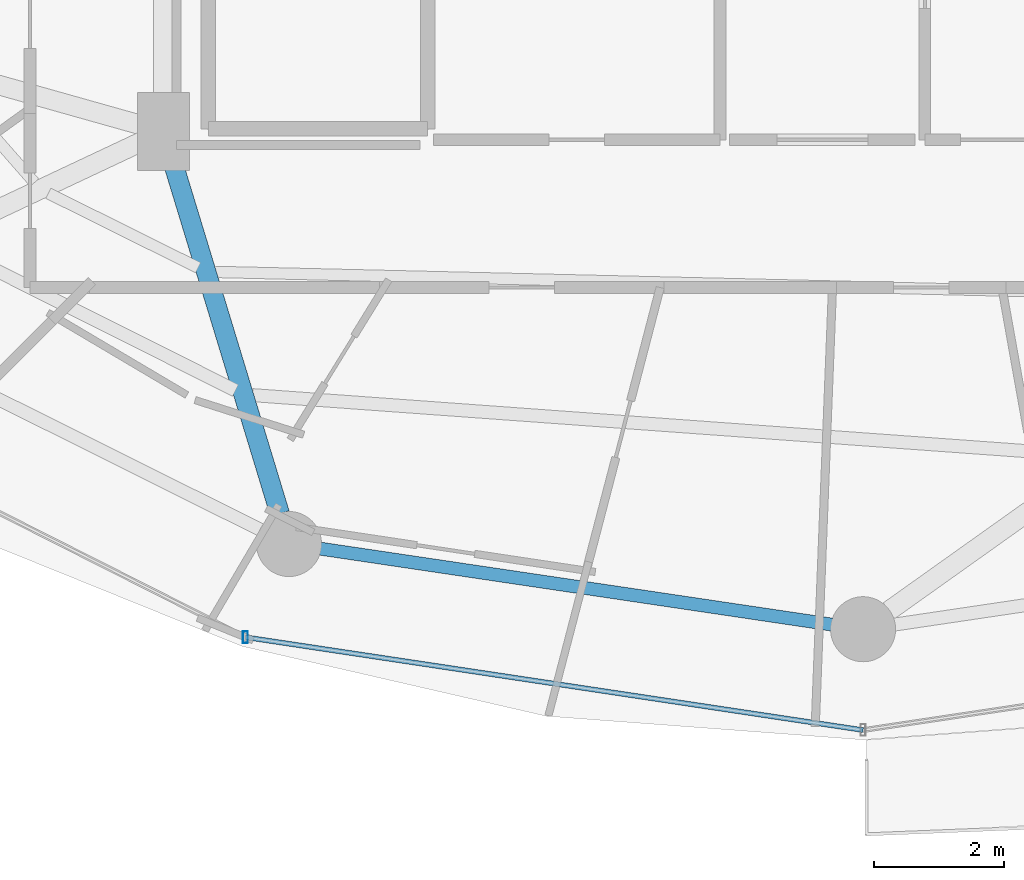
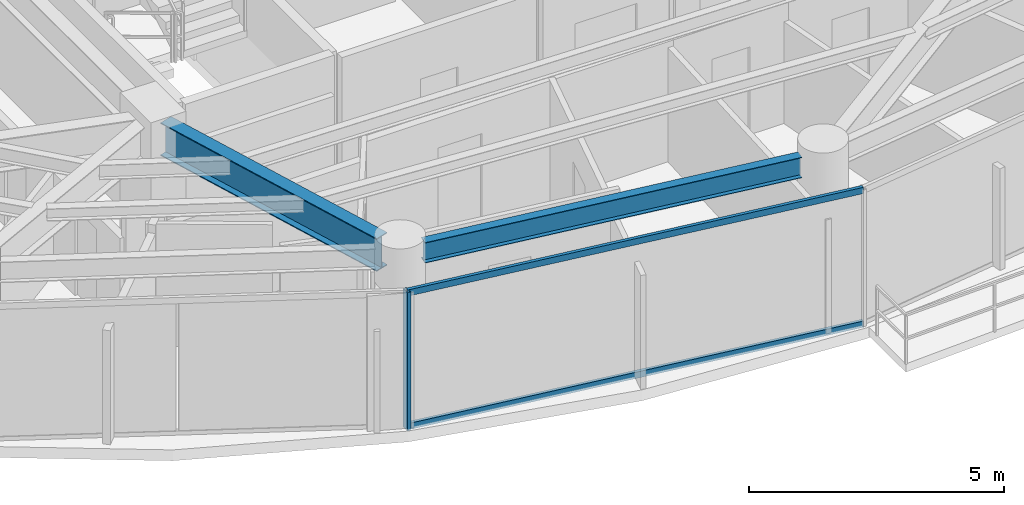
# One storey, part 5 of 29: 3 members, 2 beams, 1 element without a shape of its own.
"""IFC4 building model written with IfcOpenShell, lengths in metres."""

import ifcopenshell
import ifcopenshell.guid

model = None  # the IFC model being written
_history = None  # IfcOwnerHistory: only IFC2X3 demands one
_inside = {}  # id of a spatial element -> (the spatial element, [elements in it])
_under = {}  # id of a project, library or spatial element -> (it, [spatial elements below it])
_declared = {}  # id of a project -> (the project, [libraries it declares])
_typed = {}  # id of a type object -> (the type object, [elements of that type])
_made_of = {}  # id of a material, layer set ... -> (it, [elements and type objects made of it])


def new_model(schema):
    """Start an empty IFC model of exactly this schema.

    Asked for "IFC4X3", IfcOpenShell would pick the latest addendum, in which some entities
    have other attributes; the version numbers below select the first issue.
    IFC2X3 requires an IfcOwnerHistory on every rooted entity: one is made here for all.
    """
    global model, _history
    if schema == "IFC4X3":
        model = ifcopenshell.file(schema_version=(4, 3, 0, 0))
    else:
        model = ifcopenshell.file(schema=schema)
    _inside.clear()
    _under.clear()
    _declared.clear()
    _typed.clear()
    _made_of.clear()
    _history = None
    if model.schema == "IFC2X3":
        org = make("IfcOrganization", Name="unknown")
        user = make(
            "IfcPersonAndOrganization",
            ThePerson=make("IfcPerson", FamilyName="unknown"),
            TheOrganization=org,
        )
        app = make(
            "IfcApplication",
            ApplicationDeveloper=org,
            Version="unknown",
            ApplicationFullName="unknown",
            ApplicationIdentifier="unknown",
        )
        _history = make(
            "IfcOwnerHistory",
            OwningUser=user,
            OwningApplication=app,
            ChangeAction="ADDED",
            CreationDate=0,
        )
    return model


def make(cls, **values):
    """One entity of the class cls with the attributes given. An attribute that is None is left unset."""
    return model.create_entity(
        cls, **{name: value for name, value in values.items() if value is not None}
    )


def rooted(cls, **values):
    """An entity with a GlobalId (a new one), such as an element, a storey or a relation."""
    return make(cls, GlobalId=ifcopenshell.guid.new(), OwnerHistory=_history, **values)


def si_unit(unit_type, name, prefix=None):
    """IfcSIUnit, for example si_unit("LENGTHUNIT", "METRE", prefix="MILLI")."""
    return make("IfcSIUnit", UnitType=unit_type, Prefix=prefix, Name=name)


def assignment(units):
    """IfcUnitAssignment: the units of a project."""
    return None if units is None else make("IfcUnitAssignment", Units=units)


def point(xyz):
    """IfcCartesianPoint."""
    return None if xyz is None else make("IfcCartesianPoint", Coordinates=xyz)


def direction(xyz):
    """IfcDirection."""
    return None if xyz is None else make("IfcDirection", DirectionRatios=xyz)


def frame(location, z_axis=None, x_axis=None):
    """IfcAxis2Placement3D, a coordinate frame: its origin and axes. An axis left out is left unset."""
    return make(
        "IfcAxis2Placement3D",
        Location=point(location),
        Axis=direction(z_axis),
        RefDirection=direction(x_axis),
    )


def frame_2d(location, x_axis=None):
    """IfcAxis2Placement2D, a coordinate frame in the plane: its origin and x axis."""
    return make(
        "IfcAxis2Placement2D", Location=point(location), RefDirection=direction(x_axis)
    )


def origin():
    """The frame at (0, 0, 0) with its axes left unset."""
    return frame((0.0, 0.0, 0.0))


def origin_2d():
    """The frame at (0, 0) in the plane with its x axis left unset."""
    return frame_2d((0.0, 0.0))


def place(relative_to, where):
    """IfcLocalPlacement: puts the frame where relative to a parent placement (None: the world)."""
    return make(
        "IfcLocalPlacement", PlacementRelTo=relative_to, RelativePlacement=where
    )


def context(
    kind, dimensions, precision=None, world=None, true_north=None, identifier=None
):
    """IfcGeometricRepresentationContext, for example the 3D "Model" context."""
    return make(
        "IfcGeometricRepresentationContext",
        ContextIdentifier=identifier,
        ContextType=kind,
        CoordinateSpaceDimension=dimensions,
        Precision=precision,
        WorldCoordinateSystem=world,
        TrueNorth=true_north,
    )


def subcontext(parent, identifier, kind, view, scale=None):
    """IfcGeometricRepresentationSubContext, for example "Body" below "Model"."""
    return make(
        "IfcGeometricRepresentationSubContext",
        ContextIdentifier=identifier,
        ContextType=kind,
        ParentContext=parent,
        TargetScale=scale,
        TargetView=view,
    )


def project(units=None, contexts=None):
    """IfcProject with its units and contexts."""
    return rooted(
        "IfcProject",
        Name="project",
        RepresentationContexts=contexts,
        UnitsInContext=assignment(units),
    )


def spatial(cls, under=None, at=None, **own):
    """A site, building, storey or space (cls), placed at a placement, below another one or the project."""
    s = rooted(cls, ObjectPlacement=at, **own)
    if under is not None:
        _under.setdefault(under.id(), (under, []))[1].append(s)
    return s


def profile(cls, at=None, kind="AREA", **sizes):
    """A parametric profile (cls). Its sizes go by their IFC names, for example OverallWidth=200.0."""
    return make(cls, ProfileType=kind, Position=at, **sizes)


def hollow_rectangle(**sizes):
    """IfcRectangleHollowProfileDef."""
    return profile("IfcRectangleHollowProfileDef", **sizes)


def i_section(**sizes):
    """IfcIShapeProfileDef."""
    return profile("IfcIShapeProfileDef", **sizes)


def extrude(swept, where, along, depth):
    """IfcExtrudedAreaSolid: the profile swept, set in the frame where, extruded along a direction by depth."""
    return make(
        "IfcExtrudedAreaSolid",
        SweptArea=swept,
        Position=where,
        ExtrudedDirection=direction(along),
        Depth=depth,
    )


def shape(context_of_items, identifier, shape_type, items):
    """IfcShapeRepresentation: the items that make up one representation, for example the "Body"."""
    return make(
        "IfcShapeRepresentation",
        ContextOfItems=context_of_items,
        RepresentationIdentifier=identifier,
        RepresentationType=shape_type,
        Items=items,
    )


def material(Name=None, Category=None):
    """IfcMaterial."""
    return make("IfcMaterial", Name=Name, Category=Category)


def material_profile(
    of_material, cross_section, Name=None, Category=None, Priority=None
):
    """IfcMaterialProfile: a cross section and its material."""
    return make(
        "IfcMaterialProfile",
        Name=Name,
        Material=of_material,
        Profile=cross_section,
        Priority=Priority,
        Category=Category,
    )


def profile_set(profiles, Name=None, composite=None):
    """IfcMaterialProfileSet."""
    return make(
        "IfcMaterialProfileSet",
        Name=Name,
        MaterialProfiles=profiles,
        CompositeProfile=composite,
    )


def made_of(thing, what):
    """Note that an element or type object is made of a material, layer set ...; save() writes the relation."""
    if what is not None:
        _made_of.setdefault(what.id(), (what, []))[1].append(thing)
    return thing


def type_object(cls, material=None, **own):
    """A type object (cls), such as IfcWallType, which elements share."""
    return made_of(rooted(cls, **own), material)


def element(
    cls,
    number,
    at=None,
    inside=None,
    cuts=None,
    type_object=None,
    material=None,
    context=None,
    identifier="Body",
    shape_type=None,
    held_by="IfcProductDefinitionShape",
    body=None,
    shapes=None,
    **own,
):
    """One element of the class cls, such as IfcWall. Its Tag is "e" and its number.

    at: its placement. inside: the storey or other place that contains it. cuts: it is an
    opening in that element (IfcRelVoidsElement). A single representation is given by context,
    identifier, shape_type and body (its items); several are given by shapes. held_by: the class
    of the entity that holds the representations. save() writes the other relations.
    """
    e = rooted(cls, Tag="e%d" % number, ObjectPlacement=at, **own)
    if body is not None:
        shapes = [shape(context, identifier, shape_type, body)]
    if shapes is not None:
        e.Representation = make(held_by, Representations=shapes)
    if inside is not None:
        _inside.setdefault(inside.id(), (inside, []))[1].append(e)
    if cuts is not None:
        rooted(
            "IfcRelVoidsElement", RelatingBuildingElement=cuts, RelatedOpeningElement=e
        )
    if type_object is not None:
        _typed.setdefault(type_object.id(), (type_object, []))[1].append(e)
    return made_of(e, material)


def aggregate(whole, parts):
    """IfcRelAggregates: a whole, such as a stair, and the parts it consists of."""
    return rooted("IfcRelAggregates", RelatingObject=whole, RelatedObjects=parts)


def save(model, path):
    """Write the relations noted so far, then the file.

    IfcRelAggregates (storeys below a building ...), IfcRelContainedInSpatialStructure (elements
    in a storey), IfcRelDefinesByType, IfcRelAssociatesMaterial and IfcRelDeclares: one each for
    every whole, place, type object, material and project.
    """
    for whole, parts in _under.values():
        aggregate(whole, parts)
    for where, things in _inside.values():
        rooted(
            "IfcRelContainedInSpatialStructure",
            RelatedElements=things,
            RelatingStructure=where,
        )
    for kind, things in _typed.values():
        rooted("IfcRelDefinesByType", RelatedObjects=things, RelatingType=kind)
    for what, things in _made_of.values():
        rooted("IfcRelAssociatesMaterial", RelatedObjects=things, RelatingMaterial=what)
    for by, libraries in _declared.values():
        rooted("IfcRelDeclares", RelatingContext=by, RelatedDefinitions=libraries)
    model.write(path)


model = new_model("IFC4")

# Units and contexts
model_context = context("Model", 3, precision=1e-05, world=origin(), true_north=direction((0.0, 1.0)))
body_context = subcontext(model_context, "Body", "Model", "MODEL_VIEW")
ifc_project = project(units=[si_unit("LENGTHUNIT", "METRE"), si_unit("AREAUNIT", "SQUARE_METRE"), si_unit("VOLUMEUNIT", "CUBIC_METRE"), si_unit("PLANEANGLEUNIT", "RADIAN"), si_unit("MASSUNIT", "GRAM", prefix="KILO")], contexts=[model_context])

# Site, building, storey
site_placement = place(None, origin())
site = spatial("IfcSite", under=ifc_project, at=site_placement, CompositionType="ELEMENT")
building_placement = place(site_placement, origin())
building = spatial("IfcBuilding", under=site, at=building_placement, Name="Vorneva Point Tower", CompositionType="ELEMENT")
storey_placement = place(building_placement, frame((0.0, 0.0, 167.60009765625)))
storey = spatial("IfcBuildingStorey", under=building, at=storey_placement, Name="L45", CompositionType="ELEMENT", Elevation=167.60009765625)

# Beams
ifc_material_1 = material(Name="Steel S355", Category="steel")
ifc_material_profile_1 = material_profile(ifc_material_1, i_section(OverallWidth=0.300048828125, OverallDepth=0.7880859375, WebThickness=0.014404296875, FlangeThickness=0.02197265625, at=origin_2d()), Name="80Sh1")
ifc_profile_set_1 = profile_set([ifc_material_profile_1], Name="Steel S355")
beam_type_1 = type_object("IfcBeamType", Name="BM-GRD-80Sh1", PredefinedType="USERDEFINED", material=ifc_profile_set_1)
beam_1_placement = place(storey_placement, frame((29.037109375, 10.576171875, 2.845947265625), z_axis=(-0.291049382966, 0.95670803105, 0.0), x_axis=(-0.95670803105, -0.291049382966, 0.0)))
element("IfcBeam", 1, at=beam_1_placement, inside=storey, type_object=beam_type_1, Name="L45 Radial Primary Girder 12", ObjectType="GIRDER", PredefinedType="USERDEFINED", context=body_context, shape_type="SweptSolid", body=[
    extrude(i_section(OverallWidth=0.300048828125, OverallDepth=0.7880859375, WebThickness=0.014404296875, FlangeThickness=0.02197265625, at=origin_2d()), origin(), (0.0, 0.0, 1.0), 5.799560546875),
])
ifc_material_profile_2 = material_profile(ifc_material_1, i_section(OverallWidth=0.199951171875, OverallDepth=0.491943359375, WebThickness=0.0087890625, FlangeThickness=0.011962890625, at=origin_2d()), Name="50B1")
ifc_profile_set_2 = profile_set([ifc_material_profile_2], Name="Steel S355")
beam_type_2 = type_object("IfcBeamType", Name="BM-SPN-50B1", PredefinedType="SPANDREL", material=ifc_profile_set_2)
beam_2_placement = place(storey_placement, frame((29.65869140625, 10.0380859375, 2.993896484375), z_axis=(0.989161199046, -0.146833655211, 0.0), x_axis=(0.146833655211, 0.989161199046, 0.0)))
element("IfcBeam", 2, at=beam_2_placement, inside=storey, type_object=beam_type_2, Name="L45 Perimeter Spandrel Ring Beam 12", PredefinedType="SPANDREL", context=body_context, shape_type="SweptSolid", body=[
    extrude(i_section(OverallWidth=0.199951171875, OverallDepth=0.491943359375, WebThickness=0.0087890625, FlangeThickness=0.011962890625, at=origin_2d()), origin(), (0.0, 0.0, 1.0), 7.94775390625),
])

# Curtain wall, members
ifc_material_2 = material(Name="Pale anodised aluminium", Category="aluminium")
curtain_wall_type = type_object("IfcCurtainWallType", Name="CW-RES-SYS", PredefinedType="NOTDEFINED", material=ifc_material_2)
curtain_wall_placement = place(storey_placement, origin())
curtain_wall = element("IfcCurtainWall", 3, at=curtain_wall_placement, inside=storey, type_object=curtain_wall_type, Name="L45 Unitised Curtain Wall CW-L45-R04", PredefinedType="NOTDEFINED")
ifc_material_profile_3 = material_profile(ifc_material_2, hollow_rectangle(XDim=0.074951171875, YDim=0.179931640625, WallThickness=0.00390625, at=origin_2d()), Name="AL-MUL 180x75x4")
ifc_profile_set_3 = profile_set([ifc_material_profile_3], Name="Pale anodised aluminium")
member_type_1 = type_object("IfcMemberType", Name="CW-MUL-180", PredefinedType="MULLION", material=ifc_profile_set_3)
member_1_placement = place(storey_placement, frame((28.509521484375, 8.67724609375, -0.0400390625), z_axis=(0.0, 0.0, 1.0), x_axis=(1.0, 0.0, 0.0)))
member_1 = element("IfcMember", 4, at=member_1_placement, type_object=member_type_1, Name="CW-L45-R04 Mullion 02", PredefinedType="MULLION", context=body_context, shape_type="SweptSolid", body=[
    extrude(hollow_rectangle(XDim=0.074951171875, YDim=0.179931640625, WallThickness=0.00390625, at=origin_2d()), origin(), (0.0, 0.0, 1.0), 3.31005859375),
])
ifc_material_profile_4 = material_profile(ifc_material_2, hollow_rectangle(XDim=0.074951171875, YDim=0.14990234375, WallThickness=0.00390625, at=origin_2d()), Name="AL-TRN 150x75x4")
ifc_profile_set_4 = profile_set([ifc_material_profile_4], Name="Pale anodised aluminium")
member_type_2 = type_object("IfcMemberType", Name="CW-TRN-150", PredefinedType="USERDEFINED", material=ifc_profile_set_4)
member_2_placement = place(storey_placement, frame((28.509521484375, 8.67724609375, 0.02001953125), z_axis=(0.988880117727, -0.148714870687, 0.0), x_axis=(0.148714870687, 0.988880117727, 0.0)))
member_2 = element("IfcMember", 5, at=member_2_placement, type_object=member_type_2, Name="CW-L45-R04 Transom 02.1", ObjectType="TRANSOM", PredefinedType="USERDEFINED", context=body_context, shape_type="SweptSolid", body=[
    extrude(hollow_rectangle(XDim=0.074951171875, YDim=0.14990234375, WallThickness=0.00390625, at=origin_2d()), origin(), (0.0, 0.0, 1.0), 9.59716796875),
])
member_3_placement = place(storey_placement, frame((28.509521484375, 8.67724609375, 3.219970703125), z_axis=(0.988880117727, -0.148714870687, 0.0), x_axis=(0.148714870687, 0.988880117727, 0.0)))
member_3 = element("IfcMember", 6, at=member_3_placement, type_object=member_type_2, Name="CW-L45-R04 Transom 02.2", ObjectType="TRANSOM", PredefinedType="USERDEFINED", context=body_context, shape_type="SweptSolid", body=[
    extrude(hollow_rectangle(XDim=0.074951171875, YDim=0.14990234375, WallThickness=0.00390625, at=origin_2d()), origin(), (0.0, 0.0, 1.0), 9.59716796875),
])
aggregate(curtain_wall, [member_1, member_2, member_3])

save(model, "model.ifc")
